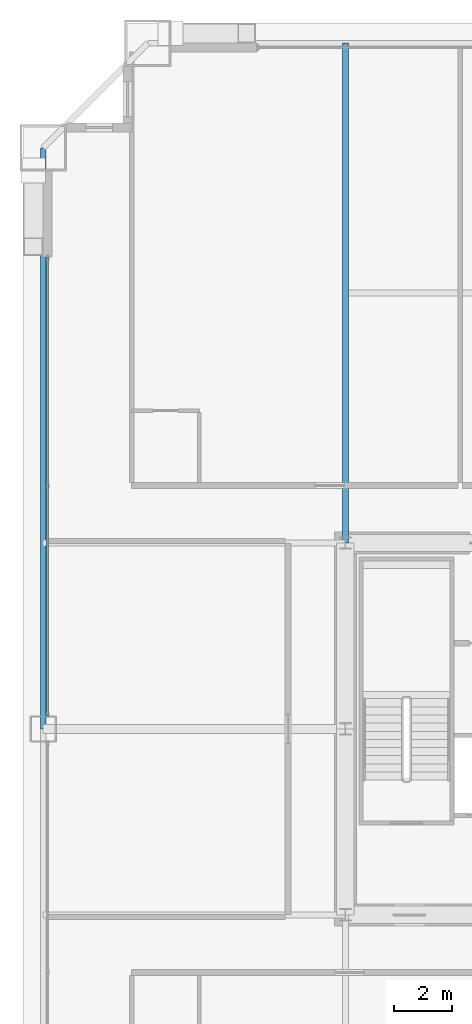
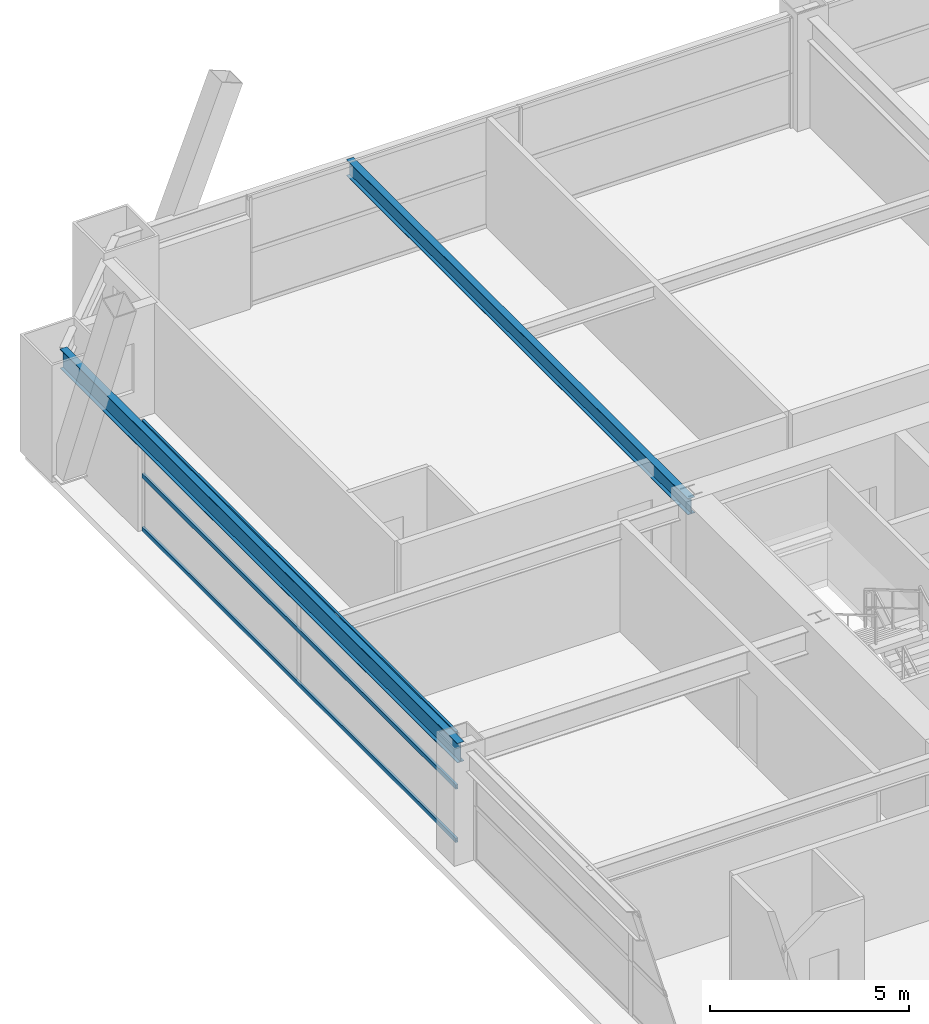
# One storey, part 24 of 43: 3 members, 2 beams, 1 element without a shape of its own.
"""IFC4 building model written with IfcOpenShell, lengths in metres."""

from ifc_helpers import new_model, si_unit, direction, frame, origin, origin_2d, place, context, subcontext, project, spatial, hollow_rectangle, i_section, extrude, source, transform, mapped, material, layer, layer_set, material_profile, profile_set, type_object, element, aggregate, save


model = new_model("IFC4")

# Units and contexts
model_context = context("Model", 3, precision=1e-05, world=origin(), true_north=direction((0.0, 1.0)))
body_context = subcontext(model_context, "Body", "Model", "MODEL_VIEW")
ifc_project = project(units=[si_unit("LENGTHUNIT", "METRE"), si_unit("AREAUNIT", "SQUARE_METRE"), si_unit("VOLUMEUNIT", "CUBIC_METRE"), si_unit("PLANEANGLEUNIT", "RADIAN"), si_unit("MASSUNIT", "GRAM", prefix="KILO"), si_unit("THERMODYNAMICTEMPERATUREUNIT", "KELVIN"), si_unit("POWERUNIT", "WATT")], contexts=[model_context])

# Site, building, storey
site_placement = place(None, origin())
site = spatial("IfcSite", under=ifc_project, at=site_placement, CompositionType="ELEMENT")
building_placement = place(site_placement, origin())
building = spatial("IfcBuilding", under=site, at=building_placement, Name="Yuzanri Waterfront Tower", CompositionType="ELEMENT")
storey_placement = place(building_placement, frame((0.0, 0.0, 108.199951171875)))
storey = spatial("IfcBuildingStorey", under=building, at=storey_placement, Name="L28", CompositionType="ELEMENT", Elevation=108.199951171875)

# Beams
ifc_material_1 = material(Name="Steel Q355B", Category="steel")
ifc_material_profile_1 = material_profile(ifc_material_1, i_section(OverallWidth=0.199951171875, OverallDepth=0.60009765625, WebThickness=0.010986328125, FlangeThickness=0.01708984375, at=origin_2d()), Name="HN 600x200x11x17")
ifc_profile_set_1 = profile_set([ifc_material_profile_1], Name="Steel Q355B")
beam_type_1 = type_object("IfcBeamType", Name="Perimeter Spandrel Q355B HN 600x200", PredefinedType="SPANDREL", material=ifc_profile_set_1)
shared_shape_1 = source(origin(), body_context, "Body", "SweptSolid", [
    extrude(i_section(OverallWidth=0.199951171875, OverallDepth=0.60009765625, WebThickness=0.010986328125, FlangeThickness=0.01708984375, at=origin_2d()), origin(), (0.0, 0.0, 1.0), 20.0),
])
beam_1_placement = place(storey_placement, frame((13.39990234375, 45.800048828125, 3.080078125), z_axis=(0.0, -1.0, 0.0), x_axis=(1.0, 0.0, 0.0)))
element("IfcBeam", 1, at=beam_1_placement, inside=storey, type_object=beam_type_1, Name="L28 Perimeter Spandrel W3-W2", PredefinedType="SPANDREL", context=body_context, shape_type="MappedRepresentation", body=[
    mapped(shared_shape_1, transform((0.0, 0.0, 0.0), scale=1.0)),
])
ifc_material_2 = material(Name="Steel Q355B", Category="steel")
ifc_material_profile_2 = material_profile(ifc_material_2, i_section(OverallWidth=0.199951171875, OverallDepth=0.5, WebThickness=0.010009765625, FlangeThickness=0.01611328125, at=origin_2d()), Name="HN 500x200x10x16")
ifc_profile_set_2 = profile_set([ifc_material_profile_2], Name="Steel Q355B")
beam_type_2 = type_object("IfcBeamType", Name="Secondary Floor Beam Q355B HN 500x200", PredefinedType="BEAM", material=ifc_profile_set_2)
shared_shape_2 = source(origin(), body_context, "Body", "SweptSolid", [
    extrude(i_section(OverallWidth=0.199951171875, OverallDepth=0.5, WebThickness=0.010009765625, FlangeThickness=0.01611328125, at=origin_2d()), origin(), (0.0, 0.0, 1.0), 17.199951171875),
])
beam_2_placement = place(storey_placement, frame((23.800048828125, 32.199951171875, 3.130126953125), z_axis=(0.0, 1.0, 0.0), x_axis=(-1.0, 0.0, 0.0)))
element("IfcBeam", 2, at=beam_2_placement, inside=storey, type_object=beam_type_2, Name="L28 North-West Core Line Beam", PredefinedType="BEAM", context=body_context, shape_type="MappedRepresentation", body=[
    mapped(shared_shape_2, transform((0.0, 0.0, 0.0), scale=1.0)),
])

# Curtain wall, members
ifc_material_3 = material(Name="Anodized Architectural Bronze", Category="metal")
ifc_layer = layer(ifc_material_3, 0.159912109375)
ifc_layer_set = layer_set([ifc_layer], Name="Anodized Architectural Bronze")
curtain_wall_type = type_object("IfcCurtainWallType", Name="Anodized Bronze Hotel Upper-Tier Solar-Control Unitized Curtain Wall 7800", PredefinedType="NOTDEFINED", material=ifc_layer_set)
curtain_wall_placement = place(storey_placement, origin())
curtain_wall = element("IfcCurtainWall", 3, at=curtain_wall_placement, inside=storey, type_object=curtain_wall_type, Name="L28 Curtain Wall CW-L28-WR", PredefinedType="NOTDEFINED")
ifc_material_4 = material(Name="Anodized Architectural Bronze", Category="metal")
ifc_material_profile_3 = material_profile(ifc_material_4, hollow_rectangle(XDim=0.070068359375, YDim=0.135009765625, WallThickness=0.00341796875, at=origin_2d()), Name="CWT 70x135")
ifc_profile_set_3 = profile_set([ifc_material_profile_3], Name="Anodized Architectural Bronze")
member_type = type_object("IfcMemberType", Name="Anodized Bronze Standard Curtain-Wall Transom 70x135", PredefinedType="USERDEFINED", material=ifc_profile_set_3)
shared_shape_3 = source(origin(), body_context, "Body", "SweptSolid", [
    extrude(hollow_rectangle(XDim=0.070068359375, YDim=0.135009765625, WallThickness=0.00341796875, at=origin_2d()), origin(), (0.0, 0.0, 1.0), 15.800048828125),
])
member_1_placement = place(storey_placement, frame((13.550048828125, 26.25, 0.050048828125), z_axis=(0.0, 1.0, 0.0), x_axis=(-1.0, 0.0, 0.0)))
member_1 = element("IfcMember", 4, at=member_1_placement, type_object=member_type, Name="CW-L28-WR Transom 1", ObjectType="TRANSOM", PredefinedType="USERDEFINED", context=body_context, shape_type="MappedRepresentation", body=[
    mapped(shared_shape_3, transform((0.0, 0.0, 0.0), scale=1.0)),
])
member_2_placement = place(storey_placement, frame((13.550048828125, 26.25, 1.68994140625), z_axis=(0.0, 1.0, 0.0), x_axis=(-1.0, 0.0, 0.0)))
member_2 = element("IfcMember", 5, at=member_2_placement, type_object=member_type, Name="CW-L28-WR Transom 2", ObjectType="TRANSOM", PredefinedType="USERDEFINED", context=body_context, shape_type="MappedRepresentation", body=[
    mapped(shared_shape_3, transform((0.0, 0.0, 0.0), scale=1.0)),
])
member_3_placement = place(storey_placement, frame((13.550048828125, 26.25, 3.330078125), z_axis=(0.0, 1.0, 0.0), x_axis=(-1.0, 0.0, 0.0)))
member_3 = element("IfcMember", 6, at=member_3_placement, type_object=member_type, Name="CW-L28-WR Transom 3", ObjectType="TRANSOM", PredefinedType="USERDEFINED", context=body_context, shape_type="MappedRepresentation", body=[
    mapped(shared_shape_3, transform((0.0, 0.0, 0.0), scale=1.0)),
])
aggregate(curtain_wall, [member_1, member_2, member_3])

save(model, "model.ifc")
